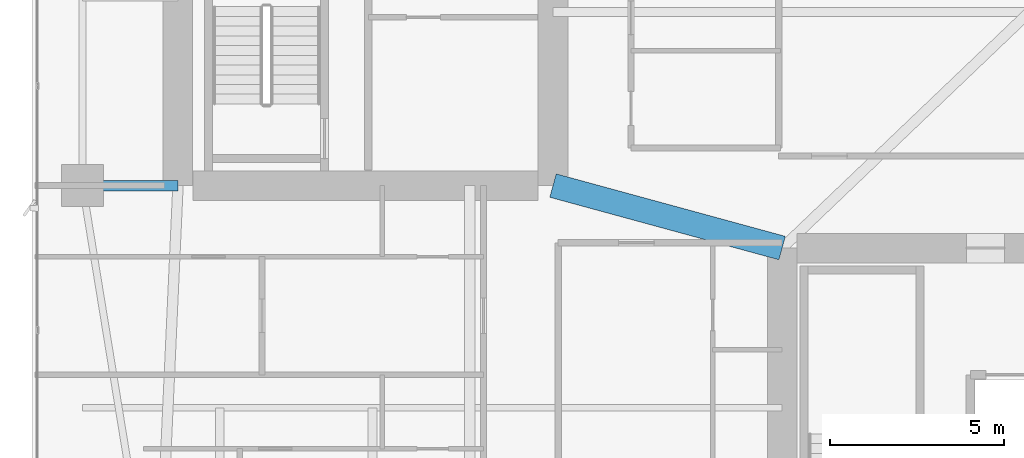
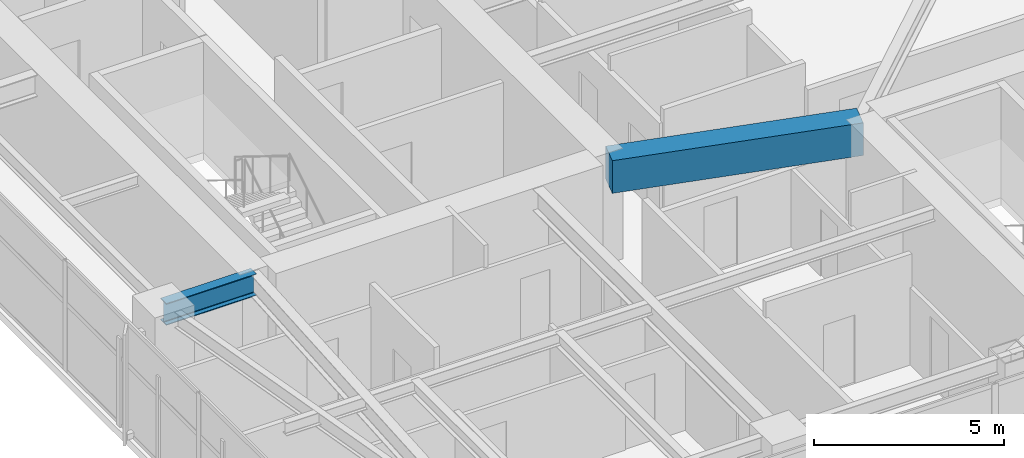
# One storey, part 7 of 28: 2 beams.
"""IFC4 building model written with IfcOpenShell, lengths in metres."""

from ifc_helpers import new_model, si_unit, direction, frame, origin, origin_2d, place, context, subcontext, project, spatial, rectangle, i_section, extrude, material, material_profile, profile_set, type_object, element, save


model = new_model("IFC4")

# Units and contexts
model_context = context("Model", 3, precision=1e-05, world=origin(), true_north=direction((0.0, 1.0)))
body_context = subcontext(model_context, "Body", "Model", "MODEL_VIEW")
ifc_project = project(units=[si_unit("LENGTHUNIT", "METRE"), si_unit("AREAUNIT", "SQUARE_METRE"), si_unit("VOLUMEUNIT", "CUBIC_METRE"), si_unit("PLANEANGLEUNIT", "RADIAN"), si_unit("MASSUNIT", "GRAM", prefix="KILO")], contexts=[model_context])

# Site, building, storey
site_placement = place(None, origin())
site = spatial("IfcSite", under=ifc_project, at=site_placement, CompositionType="ELEMENT")
building_placement = place(site_placement, origin())
building = spatial("IfcBuilding", under=site, at=building_placement, Name="Calvorn Quay Hotel", CompositionType="ELEMENT")
storey_placement = place(building_placement, frame((0.0, 0.0, 108.800048828125)))
storey = spatial("IfcBuildingStorey", under=building, at=storey_placement, Name="L26", CompositionType="ELEMENT", Elevation=108.800048828125)

# Beams
ifc_material_1 = material(Name="Steel Q390GJC", Category="steel")
ifc_material_profile_1 = material_profile(ifc_material_1, i_section(OverallWidth=0.300048828125, OverallDepth=0.699951171875, WebThickness=0.012939453125, FlangeThickness=0.02392578125, FilletRadius=0.02392578125, at=origin_2d()), Name="HN700x300x13x24")
ifc_profile_set_1 = profile_set([ifc_material_profile_1], Name="Steel Q390GJC")
beam_type_1 = type_object("IfcBeamType", Name="BM-GIRD-MAIN", PredefinedType="BEAM", material=ifc_profile_set_1)
beam_1_placement = place(storey_placement, frame((1.449951171875, 16.800048828125, 3.18994140625), z_axis=(1.0, 0.0, 0.0), x_axis=(0.0, 1.0, 0.0)))
element("IfcBeam", 1, at=beam_1_placement, inside=storey, type_object=beam_type_1, Name="Beam BG-L26-W1", PredefinedType="BEAM", context=body_context, shape_type="SweptSolid", body=[
    extrude(i_section(OverallWidth=0.300048828125, OverallDepth=0.699951171875, WebThickness=0.012939453125, FlangeThickness=0.02392578125, FilletRadius=0.02392578125, at=origin_2d()), origin(), (0.0, 0.0, 1.0), 2.75),
])
ifc_material_2 = material(Name="Concrete C50", Category="concrete")
ifc_material_profile_2 = material_profile(ifc_material_2, rectangle(XDim=0.699951171875, YDim=1.050048828125, at=origin_2d()), Name="RCB700x1050")
ifc_profile_set_2 = profile_set([ifc_material_profile_2], Name="Concrete C50")
beam_type_2 = type_object("IfcBeamType", Name="BM-RC-LINK-700x1050", PredefinedType="BEAM", material=ifc_profile_set_2)
beam_2_placement = place(storey_placement, frame((15.0, 16.800048828125, 3.014892578125), z_axis=(0.964762997686, -0.263120425462, 0.0), x_axis=(0.263120425462, 0.964762997686, 0.0)))
element("IfcBeam", 2, at=beam_2_placement, inside=storey, type_object=beam_type_2, Name="Beam BCL-L26-01", PredefinedType="BEAM", context=body_context, shape_type="SweptSolid", body=[
    extrude(rectangle(XDim=0.699951171875, YDim=1.050048828125, at=origin_2d()), origin(), (0.0, 0.0, 1.0), 6.841064453125),
])

save(model, "model.ifc")
